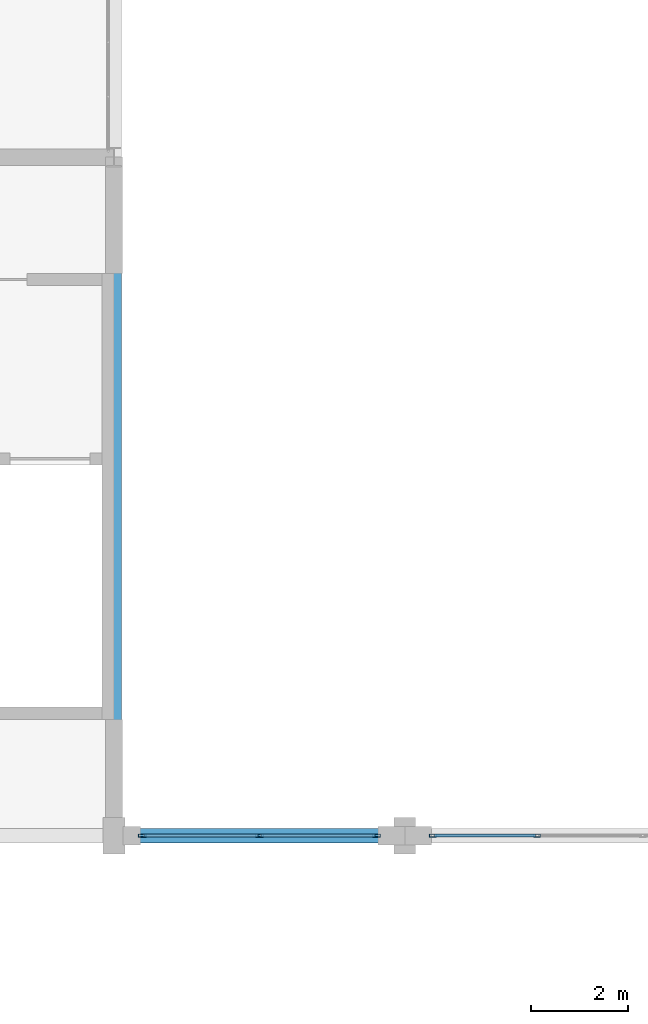
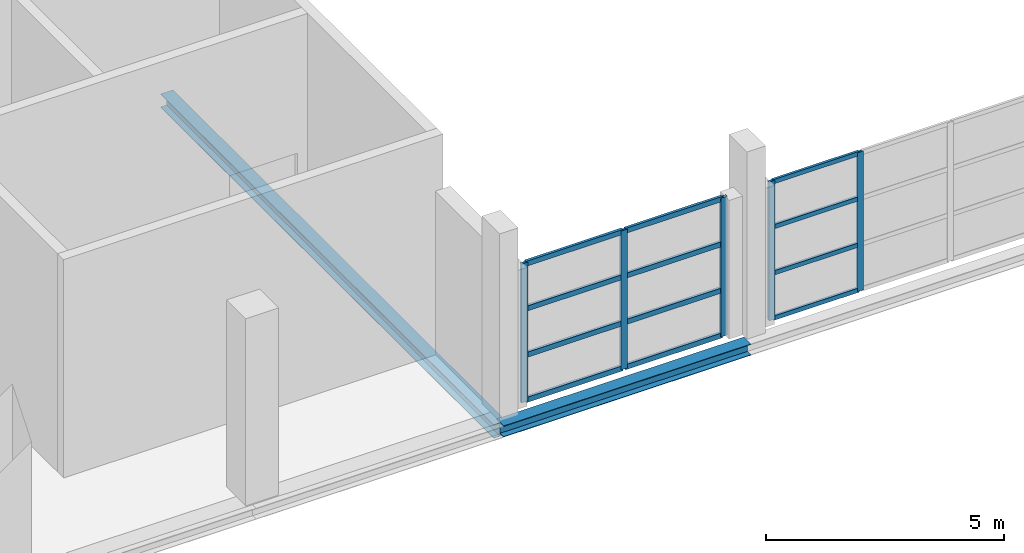
# One storey, part 60 of 147: 17 members, 2 beams, 2 elements without a shape of their own.
"""IFC4 building model written with IfcOpenShell, lengths in metres."""

from ifc_helpers import new_model, si_unit, direction, frame, origin, origin_2d, place, context, subcontext, project, spatial, hollow_rectangle, i_section, extrude, material, layer, layer_set, material_profile, profile_set, type_object, element, aggregate, save


model = new_model("IFC4")

# Units and contexts
model_context = context("Model", 3, precision=1e-05, world=origin(), true_north=direction((0.0, 1.0)))
body_context = subcontext(model_context, "Body", "Model", "MODEL_VIEW")
ifc_project = project(units=[si_unit("LENGTHUNIT", "METRE"), si_unit("AREAUNIT", "SQUARE_METRE"), si_unit("VOLUMEUNIT", "CUBIC_METRE"), si_unit("PLANEANGLEUNIT", "RADIAN"), si_unit("MASSUNIT", "GRAM", prefix="KILO")], contexts=[model_context])

# Site, building, storey
site_placement = place(None, origin())
site = spatial("IfcSite", under=ifc_project, at=site_placement, CompositionType="ELEMENT")
building_placement = place(site_placement, origin())
building = spatial("IfcBuilding", under=site, at=building_placement, Name="Zilviju Railside Exhibition Hall", CompositionType="ELEMENT")
storey_placement = place(building_placement, frame((0.0, 0.0, 8.39990234375)))
storey = spatial("IfcBuildingStorey", under=building, at=storey_placement, Name="L03", CompositionType="ELEMENT", Elevation=8.39990234375)

# Beams
ifc_material_1 = material(Name="Steel S355J2", Category="steel")
ifc_material_profile_1 = material_profile(ifc_material_1, i_section(OverallWidth=0.300048828125, OverallDepth=0.2900390625, WebThickness=0.008544921875, FlangeThickness=0.013916015625, at=origin_2d()), Name="HEA 300")
ifc_profile_set_1 = profile_set([ifc_material_profile_1], Name="Steel S355J2")
beam_type_1 = type_object("IfcBeamType", Name="BM-HEA300", PredefinedType="SPANDREL", material=ifc_profile_set_1)
beam_1_placement = place(storey_placement, frame((102.0, 54.0, -0.48486328125), z_axis=(1.0, 0.0, 0.0), x_axis=(0.0, 1.0, 0.0)))
element("IfcBeam", 1, at=beam_1_placement, inside=storey, type_object=beam_type_1, Name="Primary Girder L03 Y=54.0 (102.0..108.0)", PredefinedType="SPANDREL", context=body_context, shape_type="SweptSolid", body=[
    extrude(i_section(OverallWidth=0.300048828125, OverallDepth=0.2900390625, WebThickness=0.008544921875, FlangeThickness=0.013916015625, at=origin_2d()), origin(), (0.0, 0.0, 1.0), 6.0),
])
ifc_material_profile_2 = material_profile(ifc_material_1, i_section(OverallWidth=0.300048828125, OverallDepth=0.35009765625, WebThickness=0.010009765625, FlangeThickness=0.017578125, at=origin_2d()), Name="HEA 360")
ifc_profile_set_2 = profile_set([ifc_material_profile_2], Name="Steel S355J2")
beam_type_2 = type_object("IfcBeamType", Name="BM-HEA360", PredefinedType="BEAM", material=ifc_profile_set_2)
beam_2_placement = place(storey_placement, frame((102.0, 54.0, -0.52490234375), z_axis=(0.0, 1.0, 0.0), x_axis=(-1.0, 0.0, 0.0)))
element("IfcBeam", 2, at=beam_2_placement, inside=storey, type_object=beam_type_2, Name="Transverse Girder L03 X=102.0 (54.0..68.0)", PredefinedType="BEAM", context=body_context, shape_type="SweptSolid", body=[
    extrude(i_section(OverallWidth=0.300048828125, OverallDepth=0.35009765625, WebThickness=0.010009765625, FlangeThickness=0.017578125, at=origin_2d()), origin(), (0.0, 0.0, 1.0), 14.0),
])

# Curtain wall, members
ifc_material_2 = material(Name="Thermally broken aluminium-steel triple-glazed curtain wall", Category="steel")
ifc_layer_1 = layer(ifc_material_2, 0.179931640625)
ifc_layer_set_1 = layer_set([ifc_layer_1], Name="Thermally broken aluminium-steel triple-glazed curtain wall")
curtain_wall_type_1 = type_object("IfcCurtainWallType", Name="CW-BAY-05", PredefinedType="USERDEFINED", material=ifc_layer_set_1)
curtain_wall_1_placement = place(storey_placement, origin())
curtain_wall_1 = element("IfcCurtainWall", 3, at=curtain_wall_1_placement, inside=storey, type_object=curtain_wall_type_1, Name="South Hall Garden Court Curtain Wall L03 (108..120)", ObjectType="GLAZED CURTAIN WALL", PredefinedType="USERDEFINED")
ifc_material_3 = material(Name="Thermally broken anodized aluminium mullion", Category="aluminium")
ifc_material_profile_3 = material_profile(ifc_material_3, hollow_rectangle(XDim=0.06005859375, YDim=0.139892578125, WallThickness=0.0048828125, at=origin_2d()), Name="MULLION 140x60x5")
ifc_profile_set_3 = profile_set([ifc_material_profile_3], Name="Thermally broken anodized aluminium mullion")
member_type_1 = type_object("IfcMemberType", Name="CWM-60x140", PredefinedType="MULLION", material=ifc_profile_set_3)
member_1_placement = place(storey_placement, frame((108.580078125, 54.0, 0.0), z_axis=(0.0, 0.0, 1.0), x_axis=(0.0, 1.0, 0.0)))
member_1 = element("IfcMember", 4, at=member_1_placement, type_object=member_type_1, Name="CW-05 mullion 1", PredefinedType="MULLION", context=body_context, shape_type="SweptSolid", body=[
    extrude(hollow_rectangle(XDim=0.06005859375, YDim=0.139892578125, WallThickness=0.0048828125, at=origin_2d()), origin(), (0.0, 0.0, 1.0), 3.56005859375),
])
member_2_placement = place(storey_placement, frame((110.72998046875, 54.0, 0.0), z_axis=(0.0, 0.0, 1.0), x_axis=(0.0, 1.0, 0.0)))
member_2 = element("IfcMember", 5, at=member_2_placement, type_object=member_type_1, Name="CW-05 mullion 2", PredefinedType="MULLION", context=body_context, shape_type="SweptSolid", body=[
    extrude(hollow_rectangle(XDim=0.06005859375, YDim=0.139892578125, WallThickness=0.0048828125, at=origin_2d()), origin(), (0.0, 0.0, 1.0), 3.56005859375),
])

ifc_layer_2 = layer(ifc_material_2, 0.179931640625)
ifc_layer_set_2 = layer_set([ifc_layer_2], Name="Thermally broken aluminium-steel triple-glazed curtain wall")
curtain_wall_type_2 = type_object("IfcCurtainWallType", Name="CW-BAY-04", PredefinedType="USERDEFINED", material=ifc_layer_set_2)
curtain_wall_2_placement = place(storey_placement, origin())
curtain_wall_2 = element("IfcCurtainWall", 6, at=curtain_wall_2_placement, inside=storey, type_object=curtain_wall_type_2, Name="South Hall Garden Court Curtain Wall L03 (102..108)", ObjectType="GLAZED CURTAIN WALL", PredefinedType="USERDEFINED")
ifc_material_profile_4 = material_profile(ifc_material_3, hollow_rectangle(XDim=0.06494140625, YDim=0.159912109375, WallThickness=0.0048828125, at=origin_2d()), Name="MULLION 160x65x5")
ifc_profile_set_4 = profile_set([ifc_material_profile_4], Name="Thermally broken anodized aluminium mullion")
member_type_2 = type_object("IfcMemberType", Name="CWM-65x160", PredefinedType="MULLION", material=ifc_profile_set_4)
member_3_placement = place(storey_placement, frame((102.58251953125, 54.0, 0.0), z_axis=(0.0, 0.0, 1.0), x_axis=(0.0, 1.0, 0.0)))
member_3 = element("IfcMember", 7, at=member_3_placement, type_object=member_type_2, Name="CW-04 mullion 1", PredefinedType="MULLION", context=body_context, shape_type="SweptSolid", body=[
    extrude(hollow_rectangle(XDim=0.06494140625, YDim=0.159912109375, WallThickness=0.0048828125, at=origin_2d()), origin(), (0.0, 0.0, 1.0), 3.56005859375),
])
member_4_placement = place(storey_placement, frame((105.0, 54.0, 0.0), z_axis=(0.0, 0.0, 1.0), x_axis=(0.0, 1.0, 0.0)))
member_4 = element("IfcMember", 8, at=member_4_placement, type_object=member_type_2, Name="CW-04 mullion 2", PredefinedType="MULLION", context=body_context, shape_type="SweptSolid", body=[
    extrude(hollow_rectangle(XDim=0.06494140625, YDim=0.159912109375, WallThickness=0.0048828125, at=origin_2d()), origin(), (0.0, 0.0, 1.0), 3.56005859375),
])
member_5_placement = place(storey_placement, frame((107.41748046875, 54.0, 0.0), z_axis=(0.0, 0.0, 1.0), x_axis=(0.0, 1.0, 0.0)))
member_5 = element("IfcMember", 9, at=member_5_placement, type_object=member_type_2, Name="CW-04 mullion 3", PredefinedType="MULLION", context=body_context, shape_type="SweptSolid", body=[
    extrude(hollow_rectangle(XDim=0.06494140625, YDim=0.159912109375, WallThickness=0.0048828125, at=origin_2d()), origin(), (0.0, 0.0, 1.0), 3.56005859375),
])

# Member
ifc_material_4 = material(Name="Thermally broken anodized aluminium transom", Category="aluminium")
ifc_material_profile_5 = material_profile(ifc_material_4, hollow_rectangle(XDim=0.06005859375, YDim=0.110107421875, WallThickness=0.0048828125, at=origin_2d()), Name="TRANSOM 110x60x5")
ifc_profile_set_5 = profile_set([ifc_material_profile_5], Name="Thermally broken anodized aluminium transom")
member_type_3 = type_object("IfcMemberType", Name="CWT-60x110", PredefinedType="USERDEFINED", material=ifc_profile_set_5)
member_6_placement = place(storey_placement, frame((108.610107421875, 54.0, 0.030029296875), z_axis=(1.0, 0.0, 0.0), x_axis=(0.0, 1.0, 0.0)))
member_6 = element("IfcMember", 10, at=member_6_placement, type_object=member_type_3, Name="CW-05 transom 1.1", ObjectType="TRANSOM", PredefinedType="USERDEFINED", context=body_context, shape_type="SweptSolid", body=[
    extrude(hollow_rectangle(XDim=0.06005859375, YDim=0.110107421875, WallThickness=0.0048828125, at=origin_2d()), origin(), (0.0, 0.0, 1.0), 2.08984375),
])

member_7_placement = place(storey_placement, frame((108.610107421875, 54.0, 1.18701171875), z_axis=(1.0, 0.0, 0.0), x_axis=(0.0, 1.0, 0.0)))
member_7 = element("IfcMember", 11, at=member_7_placement, type_object=member_type_3, Name="CW-05 transom 1.2", ObjectType="TRANSOM", PredefinedType="USERDEFINED", context=body_context, shape_type="SweptSolid", body=[
    extrude(hollow_rectangle(XDim=0.06005859375, YDim=0.110107421875, WallThickness=0.0048828125, at=origin_2d()), origin(), (0.0, 0.0, 1.0), 2.08984375),
])

member_8_placement = place(storey_placement, frame((108.610107421875, 54.0, 2.373046875), z_axis=(1.0, 0.0, 0.0), x_axis=(0.0, 1.0, 0.0)))
member_8 = element("IfcMember", 12, at=member_8_placement, type_object=member_type_3, Name="CW-05 transom 1.3", ObjectType="TRANSOM", PredefinedType="USERDEFINED", context=body_context, shape_type="SweptSolid", body=[
    extrude(hollow_rectangle(XDim=0.06005859375, YDim=0.110107421875, WallThickness=0.0048828125, at=origin_2d()), origin(), (0.0, 0.0, 1.0), 2.08984375),
])

member_9_placement = place(storey_placement, frame((108.610107421875, 54.0, 3.530029296875), z_axis=(1.0, 0.0, 0.0), x_axis=(0.0, 1.0, 0.0)))
member_9 = element("IfcMember", 13, at=member_9_placement, type_object=member_type_3, Name="CW-05 transom 1.4", ObjectType="TRANSOM", PredefinedType="USERDEFINED", context=body_context, shape_type="SweptSolid", body=[
    extrude(hollow_rectangle(XDim=0.06005859375, YDim=0.110107421875, WallThickness=0.0048828125, at=origin_2d()), origin(), (0.0, 0.0, 1.0), 2.08984375),
])

aggregate(curtain_wall_1, [member_1, member_2, member_6, member_7, member_8, member_9])

ifc_material_profile_6 = material_profile(ifc_material_4, hollow_rectangle(XDim=0.06494140625, YDim=0.1298828125, WallThickness=0.0048828125, at=origin_2d()), Name="TRANSOM 130x65x5")
ifc_profile_set_6 = profile_set([ifc_material_profile_6], Name="Thermally broken anodized aluminium transom")
member_type_4 = type_object("IfcMemberType", Name="CWT-65x130", PredefinedType="USERDEFINED", material=ifc_profile_set_6)
member_10_placement = place(storey_placement, frame((102.614990234375, 54.0, 0.03271484375), z_axis=(1.0, 0.0, 0.0), x_axis=(0.0, 1.0, 0.0)))
member_10 = element("IfcMember", 14, at=member_10_placement, type_object=member_type_4, Name="CW-04 transom 1.1", ObjectType="TRANSOM", PredefinedType="USERDEFINED", context=body_context, shape_type="SweptSolid", body=[
    extrude(hollow_rectangle(XDim=0.06494140625, YDim=0.1298828125, WallThickness=0.0048828125, at=origin_2d()), origin(), (0.0, 0.0, 1.0), 2.3525390625),
])

member_11_placement = place(storey_placement, frame((102.614990234375, 54.0, 1.18701171875), z_axis=(1.0, 0.0, 0.0), x_axis=(0.0, 1.0, 0.0)))
member_11 = element("IfcMember", 15, at=member_11_placement, type_object=member_type_4, Name="CW-04 transom 1.2", ObjectType="TRANSOM", PredefinedType="USERDEFINED", context=body_context, shape_type="SweptSolid", body=[
    extrude(hollow_rectangle(XDim=0.06494140625, YDim=0.1298828125, WallThickness=0.0048828125, at=origin_2d()), origin(), (0.0, 0.0, 1.0), 2.3525390625),
])

member_12_placement = place(storey_placement, frame((102.614990234375, 54.0, 2.373046875), z_axis=(1.0, 0.0, 0.0), x_axis=(0.0, 1.0, 0.0)))
member_12 = element("IfcMember", 16, at=member_12_placement, type_object=member_type_4, Name="CW-04 transom 1.3", ObjectType="TRANSOM", PredefinedType="USERDEFINED", context=body_context, shape_type="SweptSolid", body=[
    extrude(hollow_rectangle(XDim=0.06494140625, YDim=0.1298828125, WallThickness=0.0048828125, at=origin_2d()), origin(), (0.0, 0.0, 1.0), 2.3525390625),
])

member_13_placement = place(storey_placement, frame((102.614990234375, 54.0, 3.527587890625), z_axis=(1.0, 0.0, 0.0), x_axis=(0.0, 1.0, 0.0)))
member_13 = element("IfcMember", 17, at=member_13_placement, type_object=member_type_4, Name="CW-04 transom 1.4", ObjectType="TRANSOM", PredefinedType="USERDEFINED", context=body_context, shape_type="SweptSolid", body=[
    extrude(hollow_rectangle(XDim=0.06494140625, YDim=0.1298828125, WallThickness=0.0048828125, at=origin_2d()), origin(), (0.0, 0.0, 1.0), 2.3525390625),
])

member_14_placement = place(storey_placement, frame((105.032470703125, 54.0, 0.03271484375), z_axis=(1.0, 0.0, 0.0), x_axis=(0.0, 1.0, 0.0)))
member_14 = element("IfcMember", 18, at=member_14_placement, type_object=member_type_4, Name="CW-04 transom 2.1", ObjectType="TRANSOM", PredefinedType="USERDEFINED", context=body_context, shape_type="SweptSolid", body=[
    extrude(hollow_rectangle(XDim=0.06494140625, YDim=0.1298828125, WallThickness=0.0048828125, at=origin_2d()), origin(), (0.0, 0.0, 1.0), 2.3525390625),
])

member_15_placement = place(storey_placement, frame((105.032470703125, 54.0, 1.18701171875), z_axis=(1.0, 0.0, 0.0), x_axis=(0.0, 1.0, 0.0)))
member_15 = element("IfcMember", 19, at=member_15_placement, type_object=member_type_4, Name="CW-04 transom 2.2", ObjectType="TRANSOM", PredefinedType="USERDEFINED", context=body_context, shape_type="SweptSolid", body=[
    extrude(hollow_rectangle(XDim=0.06494140625, YDim=0.1298828125, WallThickness=0.0048828125, at=origin_2d()), origin(), (0.0, 0.0, 1.0), 2.3525390625),
])

member_16_placement = place(storey_placement, frame((105.032470703125, 54.0, 2.373046875), z_axis=(1.0, 0.0, 0.0), x_axis=(0.0, 1.0, 0.0)))
member_16 = element("IfcMember", 20, at=member_16_placement, type_object=member_type_4, Name="CW-04 transom 2.3", ObjectType="TRANSOM", PredefinedType="USERDEFINED", context=body_context, shape_type="SweptSolid", body=[
    extrude(hollow_rectangle(XDim=0.06494140625, YDim=0.1298828125, WallThickness=0.0048828125, at=origin_2d()), origin(), (0.0, 0.0, 1.0), 2.3525390625),
])

member_17_placement = place(storey_placement, frame((105.032470703125, 54.0, 3.527587890625), z_axis=(1.0, 0.0, 0.0), x_axis=(0.0, 1.0, 0.0)))
member_17 = element("IfcMember", 21, at=member_17_placement, type_object=member_type_4, Name="CW-04 transom 2.4", ObjectType="TRANSOM", PredefinedType="USERDEFINED", context=body_context, shape_type="SweptSolid", body=[
    extrude(hollow_rectangle(XDim=0.06494140625, YDim=0.1298828125, WallThickness=0.0048828125, at=origin_2d()), origin(), (0.0, 0.0, 1.0), 2.3525390625),
])

aggregate(curtain_wall_2, [member_3, member_4, member_5, member_10, member_11, member_12, member_13, member_14, member_15, member_16, member_17])

save(model, "model.ifc")
